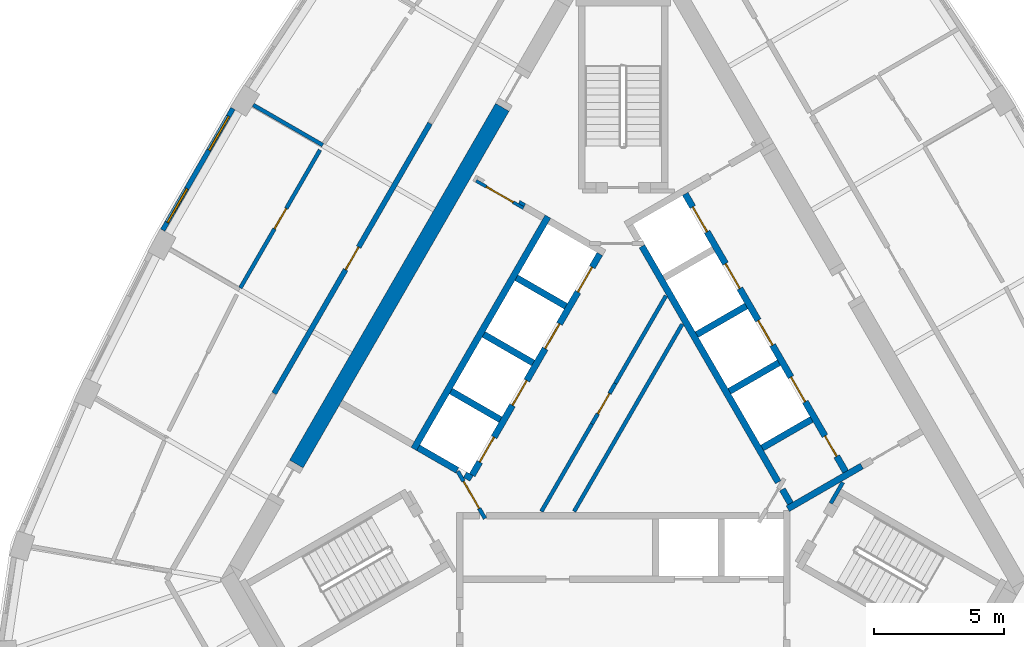
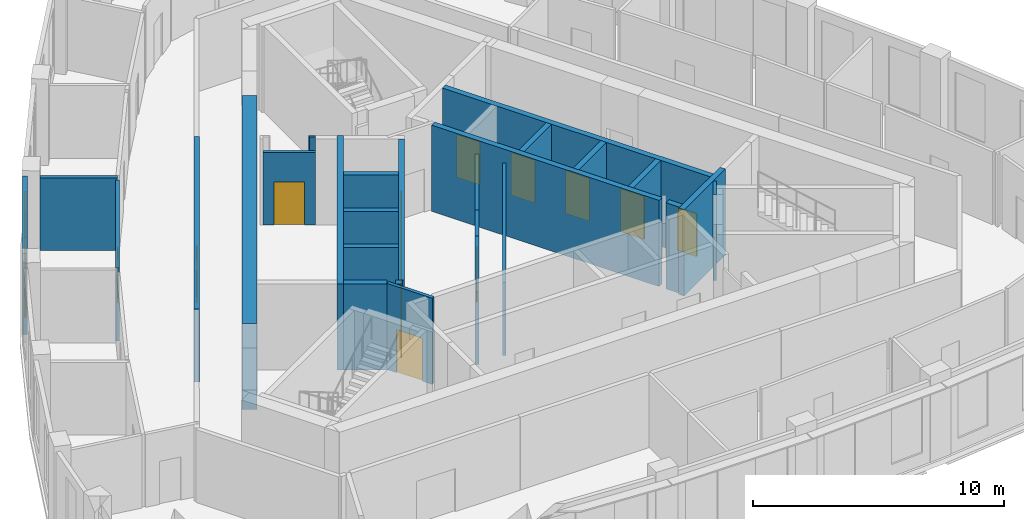
# One storey, part 5 of 10: 27 walls, 14 doors, 2 windows, 16 openings.
"""IFC4 building model written with IfcOpenShell, lengths in metres."""

import ifcopenshell
import ifcopenshell.guid

model = None  # the IFC model being written
_history = None  # IfcOwnerHistory: only IFC2X3 demands one
_inside = {}  # id of a spatial element -> (the spatial element, [elements in it])
_under = {}  # id of a project, library or spatial element -> (it, [spatial elements below it])
_declared = {}  # id of a project -> (the project, [libraries it declares])
_typed = {}  # id of a type object -> (the type object, [elements of that type])
_made_of = {}  # id of a material, layer set ... -> (it, [elements and type objects made of it])


def new_model(schema):
    """Start an empty IFC model of exactly this schema.

    Asked for "IFC4X3", IfcOpenShell would pick the latest addendum, in which some entities
    have other attributes; the version numbers below select the first issue.
    IFC2X3 requires an IfcOwnerHistory on every rooted entity: one is made here for all.
    """
    global model, _history
    if schema == "IFC4X3":
        model = ifcopenshell.file(schema_version=(4, 3, 0, 0))
    else:
        model = ifcopenshell.file(schema=schema)
    _inside.clear()
    _under.clear()
    _declared.clear()
    _typed.clear()
    _made_of.clear()
    _history = None
    if model.schema == "IFC2X3":
        org = make("IfcOrganization", Name="unknown")
        user = make(
            "IfcPersonAndOrganization",
            ThePerson=make("IfcPerson", FamilyName="unknown"),
            TheOrganization=org,
        )
        app = make(
            "IfcApplication",
            ApplicationDeveloper=org,
            Version="unknown",
            ApplicationFullName="unknown",
            ApplicationIdentifier="unknown",
        )
        _history = make(
            "IfcOwnerHistory",
            OwningUser=user,
            OwningApplication=app,
            ChangeAction="ADDED",
            CreationDate=0,
        )
    return model


def make(cls, **values):
    """One entity of the class cls with the attributes given. An attribute that is None is left unset."""
    return model.create_entity(
        cls, **{name: value for name, value in values.items() if value is not None}
    )


def rooted(cls, **values):
    """An entity with a GlobalId (a new one), such as an element, a storey or a relation."""
    return make(cls, GlobalId=ifcopenshell.guid.new(), OwnerHistory=_history, **values)


def si_unit(unit_type, name, prefix=None):
    """IfcSIUnit, for example si_unit("LENGTHUNIT", "METRE", prefix="MILLI")."""
    return make("IfcSIUnit", UnitType=unit_type, Prefix=prefix, Name=name)


def assignment(units):
    """IfcUnitAssignment: the units of a project."""
    return None if units is None else make("IfcUnitAssignment", Units=units)


def point(xyz):
    """IfcCartesianPoint."""
    return None if xyz is None else make("IfcCartesianPoint", Coordinates=xyz)


def direction(xyz):
    """IfcDirection."""
    return None if xyz is None else make("IfcDirection", DirectionRatios=xyz)


def frame(location, z_axis=None, x_axis=None):
    """IfcAxis2Placement3D, a coordinate frame: its origin and axes. An axis left out is left unset."""
    return make(
        "IfcAxis2Placement3D",
        Location=point(location),
        Axis=direction(z_axis),
        RefDirection=direction(x_axis),
    )


def frame_2d(location, x_axis=None):
    """IfcAxis2Placement2D, a coordinate frame in the plane: its origin and x axis."""
    return make(
        "IfcAxis2Placement2D", Location=point(location), RefDirection=direction(x_axis)
    )


def origin():
    """The frame at (0, 0, 0) with its axes left unset."""
    return frame((0.0, 0.0, 0.0))


def place(relative_to, where):
    """IfcLocalPlacement: puts the frame where relative to a parent placement (None: the world)."""
    return make(
        "IfcLocalPlacement", PlacementRelTo=relative_to, RelativePlacement=where
    )


def context(
    kind, dimensions, precision=None, world=None, true_north=None, identifier=None
):
    """IfcGeometricRepresentationContext, for example the 3D "Model" context."""
    return make(
        "IfcGeometricRepresentationContext",
        ContextIdentifier=identifier,
        ContextType=kind,
        CoordinateSpaceDimension=dimensions,
        Precision=precision,
        WorldCoordinateSystem=world,
        TrueNorth=true_north,
    )


def subcontext(parent, identifier, kind, view, scale=None):
    """IfcGeometricRepresentationSubContext, for example "Body" below "Model"."""
    return make(
        "IfcGeometricRepresentationSubContext",
        ContextIdentifier=identifier,
        ContextType=kind,
        ParentContext=parent,
        TargetScale=scale,
        TargetView=view,
    )


def project(units=None, contexts=None):
    """IfcProject with its units and contexts."""
    return rooted(
        "IfcProject",
        Name="project",
        RepresentationContexts=contexts,
        UnitsInContext=assignment(units),
    )


def spatial(cls, under=None, at=None, **own):
    """A site, building, storey or space (cls), placed at a placement, below another one or the project."""
    s = rooted(cls, ObjectPlacement=at, **own)
    if under is not None:
        _under.setdefault(under.id(), (under, []))[1].append(s)
    return s


def polyline(points):
    """IfcPolyline through the points."""
    return make("IfcPolyline", Points=[point(p) for p in points])


def profile(cls, at=None, kind="AREA", **sizes):
    """A parametric profile (cls). Its sizes go by their IFC names, for example OverallWidth=200.0."""
    return make(cls, ProfileType=kind, Position=at, **sizes)


def rectangle(**sizes):
    """IfcRectangleProfileDef."""
    return profile("IfcRectangleProfileDef", **sizes)


def outline(outer, holes=None, kind="AREA"):
    """IfcArbitraryClosedProfileDef: a profile drawn as a closed curve; with holes, ...WithVoids."""
    if holes is None:
        return make("IfcArbitraryClosedProfileDef", ProfileType=kind, OuterCurve=outer)
    return make(
        "IfcArbitraryProfileDefWithVoids",
        ProfileType=kind,
        OuterCurve=outer,
        InnerCurves=holes,
    )


def extrude(swept, where, along, depth):
    """IfcExtrudedAreaSolid: the profile swept, set in the frame where, extruded along a direction by depth."""
    return make(
        "IfcExtrudedAreaSolid",
        SweptArea=swept,
        Position=where,
        ExtrudedDirection=direction(along),
        Depth=depth,
    )


def shape(context_of_items, identifier, shape_type, items):
    """IfcShapeRepresentation: the items that make up one representation, for example the "Body"."""
    return make(
        "IfcShapeRepresentation",
        ContextOfItems=context_of_items,
        RepresentationIdentifier=identifier,
        RepresentationType=shape_type,
        Items=items,
    )


def material(Name=None, Category=None):
    """IfcMaterial."""
    return make("IfcMaterial", Name=Name, Category=Category)


def layer(
    of_material, thickness, ventilated=None, Name=None, Category=None, Priority=None
):
    """IfcMaterialLayer: one layer of a wall or slab, of a material (None: an air gap)."""
    return make(
        "IfcMaterialLayer",
        Material=of_material,
        LayerThickness=thickness,
        IsVentilated=ventilated,
        Name=Name,
        Category=Category,
        Priority=Priority,
    )


def layer_set(layers, Name=None):
    """IfcMaterialLayerSet."""
    return make("IfcMaterialLayerSet", MaterialLayers=layers, LayerSetName=Name)


def made_of(thing, what):
    """Note that an element or type object is made of a material, layer set ...; save() writes the relation."""
    if what is not None:
        _made_of.setdefault(what.id(), (what, []))[1].append(thing)
    return thing


def type_object(cls, material=None, **own):
    """A type object (cls), such as IfcWallType, which elements share."""
    return made_of(rooted(cls, **own), material)


def element(
    cls,
    number,
    at=None,
    inside=None,
    cuts=None,
    type_object=None,
    material=None,
    context=None,
    identifier="Body",
    shape_type=None,
    held_by="IfcProductDefinitionShape",
    body=None,
    shapes=None,
    **own,
):
    """One element of the class cls, such as IfcWall. Its Tag is "e" and its number.

    at: its placement. inside: the storey or other place that contains it. cuts: it is an
    opening in that element (IfcRelVoidsElement). A single representation is given by context,
    identifier, shape_type and body (its items); several are given by shapes. held_by: the class
    of the entity that holds the representations. save() writes the other relations.
    """
    e = rooted(cls, Tag="e%d" % number, ObjectPlacement=at, **own)
    if body is not None:
        shapes = [shape(context, identifier, shape_type, body)]
    if shapes is not None:
        e.Representation = make(held_by, Representations=shapes)
    if inside is not None:
        _inside.setdefault(inside.id(), (inside, []))[1].append(e)
    if cuts is not None:
        rooted(
            "IfcRelVoidsElement", RelatingBuildingElement=cuts, RelatedOpeningElement=e
        )
    if type_object is not None:
        _typed.setdefault(type_object.id(), (type_object, []))[1].append(e)
    return made_of(e, material)


def fill(opening, filler):
    """IfcRelFillsElement: the door or window that sits in an opening."""
    return rooted(
        "IfcRelFillsElement",
        RelatingOpeningElement=opening,
        RelatedBuildingElement=filler,
    )


def aggregate(whole, parts):
    """IfcRelAggregates: a whole, such as a stair, and the parts it consists of."""
    return rooted("IfcRelAggregates", RelatingObject=whole, RelatedObjects=parts)


def save(model, path):
    """Write the relations noted so far, then the file.

    IfcRelAggregates (storeys below a building ...), IfcRelContainedInSpatialStructure (elements
    in a storey), IfcRelDefinesByType, IfcRelAssociatesMaterial and IfcRelDeclares: one each for
    every whole, place, type object, material and project.
    """
    for whole, parts in _under.values():
        aggregate(whole, parts)
    for where, things in _inside.values():
        rooted(
            "IfcRelContainedInSpatialStructure",
            RelatedElements=things,
            RelatingStructure=where,
        )
    for kind, things in _typed.values():
        rooted("IfcRelDefinesByType", RelatedObjects=things, RelatingType=kind)
    for what, things in _made_of.values():
        rooted("IfcRelAssociatesMaterial", RelatedObjects=things, RelatingMaterial=what)
    for by, libraries in _declared.values():
        rooted("IfcRelDeclares", RelatingContext=by, RelatedDefinitions=libraries)
    model.write(path)


model = new_model("IFC4")

# Units and contexts
model_context = context("Model", 3, precision=1e-05, world=origin(), true_north=direction((0.0, 1.0)))
body_context = subcontext(model_context, "Body", "Model", "MODEL_VIEW")
ifc_project = project(units=[si_unit("LENGTHUNIT", "METRE"), si_unit("AREAUNIT", "SQUARE_METRE"), si_unit("VOLUMEUNIT", "CUBIC_METRE"), si_unit("PLANEANGLEUNIT", "RADIAN"), si_unit("MASSUNIT", "GRAM", prefix="KILO")], contexts=[model_context])

# Site, building, storey
site_placement = place(None, origin())
site = spatial("IfcSite", under=ifc_project, at=site_placement, CompositionType="ELEMENT")
building_placement = place(site_placement, origin())
building = spatial("IfcBuilding", under=site, at=building_placement, Name="Mestral Congress Tower", CompositionType="ELEMENT")
storey_placement = place(building_placement, frame((0.0, 0.0, 300.60009765625)))
storey = spatial("IfcBuildingStorey", under=building, at=storey_placement, Name="L70", CompositionType="ELEMENT", Elevation=300.60009765625)

# Walls
ifc_material_1 = material(Name="Fire-rated board partition")
ifc_layer_1 = layer(ifc_material_1, 0.14990234375)
ifc_layer_set_1 = layer_set([ifc_layer_1], Name="Fire-rated board partition")
wall_type_1 = type_object("IfcWallType", Name="Core partition 150", PredefinedType="PARTITIONING", material=ifc_layer_set_1)
wall_1_placement = place(storey_placement, frame((-1.886962890625, -3.71826171875, 0.0), z_axis=(0.0, 0.0, 1.0), x_axis=(0.500005008002, 0.866022512394, 0.0)))
element("IfcWall", 1, at=wall_1_placement, inside=storey, type_object=wall_type_1, Name="L70 core wall", PredefinedType="PARTITIONING", context=body_context, shape_type="SweptSolid", body=[
    extrude(rectangle(XDim=8.3271484375, YDim=0.14990234375, at=frame_2d((4.16357421875, 0.0))), origin(), (0.0, 0.0, 1.0), 3.5498046875),
])
wall_2_placement = place(storey_placement, frame((-3.146728515625, -3.71826171875, 0.0), z_axis=(0.0, 0.0, 1.0), x_axis=(0.500010131483, 0.866019554291, 0.0)))
element("IfcWall", 2, at=wall_2_placement, inside=storey, type_object=wall_type_1, Name="L70 core wall", PredefinedType="PARTITIONING", context=body_context, shape_type="SweptSolid", body=[
    extrude(rectangle(XDim=3.8935546875, YDim=0.14990234375, at=frame_2d((1.94677734375, 0.0))), origin(), (0.0, 0.0, 1.0), 3.5498046875),
])
wall_3_placement = place(storey_placement, frame((-0.2998046875, 1.21240234375, 0.0), z_axis=(0.0, 0.0, 1.0), x_axis=(0.499963101113, 0.866046706318, 0.0)))
element("IfcWall", 3, at=wall_3_placement, inside=storey, type_object=wall_type_1, Name="L70 core wall", PredefinedType="PARTITIONING", context=body_context, shape_type="SweptSolid", body=[
    extrude(rectangle(XDim=3.893310546875, YDim=0.14990234375, at=frame_2d((1.94677734375, 0.0))), origin(), (0.0, 0.0, 1.0), 3.5498046875),
])

# Wall, opening, door
wall_4_placement = place(storey_placement, frame((-1.199951171875, -0.346435546875, 0.0), z_axis=(0.0, 0.0, 1.0), x_axis=(0.499961193289, 0.866047807691, 0.0)))
wall_4 = element("IfcWall", 4, at=wall_4_placement, inside=storey, type_object=wall_type_1, Name="L70 door wall", PredefinedType="PARTITIONING", context=body_context, shape_type="SweptSolid", body=[
    extrude(rectangle(XDim=1.800048828125, YDim=0.14990234375, at=frame_2d((0.89990234375, 0.0))), origin(), (0.0, 0.0, 1.0), 3.5498046875),
])
opening_1_placement = place(wall_4_placement, frame((0.449951171875, 0.0, 0.0)))
opening_1 = element("IfcOpeningElement", 5, at=opening_1_placement, cuts=wall_4, Name="Opening SD-HUB1", PredefinedType="OPENING", context=body_context, shape_type="SweptSolid", body=[
    extrude(rectangle(XDim=0.89990234375, YDim=2.10009765625, at=frame_2d((0.449951171875, 1.050048828125))), frame((0.0, 0.0849609375, 0.0), z_axis=(0.0, -1.0, 0.0), x_axis=(1.0, 0.0, 0.0)), (0.0, 0.0, 1.0), 0.169921875),
])
ifc_material_2 = material(Name="Fire-rated steel door set", Category="steel")
door_type_1 = type_object("IfcDoorType", Name="Core door SR 900x2100", OperationType="SINGLE_SWING_LEFT", PredefinedType="DOOR", material=ifc_material_2)
door_1_placement = place(opening_1_placement, origin())
door_1 = element("IfcDoor", 6, at=door_1_placement, inside=storey, type_object=door_type_1, Name="Door SD-HUB1", OperationType="SINGLE_SWING_LEFT", OverallHeight=2.10009765625, OverallWidth=0.89990234375, PredefinedType="DOOR", context=body_context, shape_type="SweptSolid", body=[
    extrude(rectangle(XDim=0.89990234375, YDim=2.10009765625, at=frame_2d((0.449951171875, 1.050048828125))), frame((0.0, 0.02490234375, 0.0), z_axis=(0.0, -1.0, 0.0), x_axis=(1.0, 0.0, 0.0)), (0.0, 0.0, 1.0), 0.050048828125),
])
fill(opening_1, door_1)

ifc_layer_2 = layer(ifc_material_1, 0.1201171875)
ifc_layer_set_2 = layer_set([ifc_layer_2], Name="Fire-rated board partition")
wall_type_2 = type_object("IfcWallType", Name="Core partition 150 door-wall 120", PredefinedType="PARTITIONING", material=ifc_layer_set_2)
wall_5_placement = place(storey_placement, frame((-5.65869140625, 9.01171875, 0.0), z_axis=(0.0, 0.0, 1.0), x_axis=(0.866009402589, -0.500027713859, 0.0)))
wall_5 = element("IfcWall", 7, at=wall_5_placement, inside=storey, type_object=wall_type_2, Name="L70 door wall", PredefinedType="PARTITIONING", context=body_context, shape_type="SweptSolid", body=[
    extrude(rectangle(XDim=2.10009765625, YDim=0.1201171875, at=frame_2d((1.050048828125, 0.0))), origin(), (0.0, 0.0, 1.0), 3.5498046875),
])
opening_2_placement = place(wall_5_placement, frame((0.449951171875, 0.0, 0.0)))
opening_2 = element("IfcOpeningElement", 8, at=opening_2_placement, cuts=wall_5, Name="Opening LB2-WL2", PredefinedType="OPENING", context=body_context, shape_type="SweptSolid", body=[
    extrude(rectangle(XDim=1.199951171875, YDim=2.10009765625, at=frame_2d((0.60009765625, 1.050048828125))), frame((0.0, 0.070068359375, 0.0), z_axis=(0.0, -1.0, 0.0), x_axis=(1.0, 0.0, 0.0)), (0.0, 0.0, 1.0), 0.14013671875),
])
door_type_2 = type_object("IfcDoorType", Name="Core door LB 1200x2100", OperationType="SINGLE_SWING_LEFT", PredefinedType="DOOR", material=ifc_material_2)
door_2_placement = place(opening_2_placement, origin())
door_2 = element("IfcDoor", 9, at=door_2_placement, inside=storey, type_object=door_type_2, Name="Door LB2-WL2", OperationType="SINGLE_SWING_LEFT", OverallHeight=2.10009765625, OverallWidth=1.199951171875, PredefinedType="DOOR", context=body_context, shape_type="SweptSolid", body=[
    extrude(rectangle(XDim=1.199951171875, YDim=2.10009765625, at=frame_2d((0.60009765625, 1.050048828125))), frame((0.0, 0.02490234375, 0.0), z_axis=(0.0, -1.0, 0.0), x_axis=(1.0, 0.0, 0.0)), (0.0, 0.0, 1.0), 0.050048828125),
])
fill(opening_2, door_2)

# Wall
ifc_material_3 = material(Name="Concrete C60/75", Category="concrete")
ifc_layer_3 = layer(ifc_material_3, 0.60009765625)
ifc_layer_set_3 = layer_set([ifc_layer_3], Name="Concrete C60/75")
wall_type_3 = type_object("IfcWallType", Name="Core wall RC 600", PredefinedType="SOLIDWALL", material=ifc_layer_set_3)
wall_6_placement = place(storey_placement, frame((-12.58154296875, -1.891845703125, 0.0), z_axis=(0.0, 0.0, 1.0), x_axis=(0.500003640647, 0.866023301845, 0.0)))
element("IfcWall", 10, at=wall_6_placement, inside=storey, type_object=wall_type_3, Name="L70 core wall", PredefinedType="SOLIDWALL", context=body_context, shape_type="SweptSolid", body=[
    extrude(rectangle(XDim=15.8583984375, YDim=0.60009765625, at=frame_2d((7.92919921875, 0.0))), origin(), (0.0, 0.0, 1.0), 4.199951171875),
])

# Wall, openings, windows
ifc_material_4 = material(Name="Precast concrete C40/50 with limestone facing", Category="masonry")
ifc_layer_4 = layer(ifc_material_4, 0.18994140625)
ifc_layer_set_4 = layer_set([ifc_layer_4], Name="Precast concrete C40/50 with limestone facing")
wall_type_4 = type_object("IfcWallType", Name="Facade stone wall 190", PredefinedType="SOLIDWALL", material=ifc_layer_set_4)
wall_7_placement = place(storey_placement, frame((-15.025146484375, 11.7958984375, 0.0), z_axis=(0.0, 0.0, 1.0), x_axis=(-0.500024767483, -0.866011103799, 0.0)))
wall_7 = element("IfcWall", 11, at=wall_7_placement, inside=storey, type_object=wall_type_4, Name="Facade wall F2-02", PredefinedType="SOLIDWALL", context=body_context, shape_type="SweptSolid", body=[
    extrude(rectangle(XDim=5.406005859375, YDim=0.18994140625, at=frame_2d((2.703125, 0.0))), origin(), (0.0, 0.0, 1.0), 3.949951171875),
])
opening_3_placement = place(wall_7_placement, frame((0.346435546875, 0.0, 0.60009765625)))
opening_3 = element("IfcOpeningElement", 12, at=opening_3_placement, cuts=wall_7, Name="Opening W6", PredefinedType="OPENING", context=body_context, shape_type="SweptSolid", body=[
    extrude(rectangle(XDim=1.5, YDim=2.85009765625, at=frame_2d((0.75, 1.425048828125))), frame((0.0, 0.10498046875, 0.0), z_axis=(0.0, -1.0, 0.0), x_axis=(1.0, 0.0, 0.0)), (0.0, 0.0, 1.0), 0.2099609375),
])
opening_4_placement = place(wall_7_placement, frame((3.559326171875, 0.0, 0.60009765625)))
opening_4 = element("IfcOpeningElement", 13, at=opening_4_placement, cuts=wall_7, Name="Opening W6", PredefinedType="OPENING", context=body_context, shape_type="SweptSolid", body=[
    extrude(rectangle(XDim=1.5, YDim=2.85009765625, at=frame_2d((0.75, 1.425048828125))), frame((0.0, 0.10498046875, 0.0), z_axis=(0.0, -1.0, 0.0), x_axis=(1.0, 0.0, 0.0)), (0.0, 0.0, 1.0), 0.2099609375),
])
ifc_material_5 = material(Name="Clear low-emissivity double glazing", Category="glass")
window_type = type_object("IfcWindowType", Name="Facade punched window 1500 x 2850 sill 600", PartitioningType="SINGLE_PANEL", PredefinedType="WINDOW", material=ifc_material_5)
window_1_placement = place(opening_3_placement, origin())
window_1 = element("IfcWindow", 14, at=window_1_placement, inside=storey, type_object=window_type, Name="Window F2-02a", OverallHeight=2.85009765625, OverallWidth=1.5, PartitioningType="SINGLE_PANEL", PredefinedType="WINDOW", context=body_context, shape_type="SweptSolid", body=[
    extrude(rectangle(XDim=1.5, YDim=2.85009765625, at=frame_2d((0.75, 1.425048828125))), frame((0.0, 0.044921875, 0.0), z_axis=(0.0, -1.0, 0.0), x_axis=(1.0, 0.0, 0.0)), (0.0, 0.0, 1.0), 0.06005859375),
])
fill(opening_3, window_1)
window_2_placement = place(opening_4_placement, origin())
window_2 = element("IfcWindow", 15, at=window_2_placement, inside=storey, type_object=window_type, Name="Window F2-02b", OverallHeight=2.85009765625, OverallWidth=1.5, PartitioningType="SINGLE_PANEL", PredefinedType="WINDOW", context=body_context, shape_type="SweptSolid", body=[
    extrude(rectangle(XDim=1.5, YDim=2.85009765625, at=frame_2d((0.75, 1.425048828125))), frame((0.0, 0.044921875, 0.0), z_axis=(0.0, -1.0, 0.0), x_axis=(1.0, 0.0, 0.0)), (0.0, 0.0, 1.0), 0.06005859375),
])
fill(opening_4, window_2)

# Wall
ifc_material_6 = material(Name="Plasterboard partition on steel studs", Category="steel")
ifc_layer_5 = layer(ifc_material_6, 0.14990234375)
ifc_layer_set_5 = layer_set([ifc_layer_5], Name="Plasterboard partition on steel studs")
wall_type_5 = type_object("IfcWallType", Name="Office partition 150", PredefinedType="PARTITIONING", material=ifc_layer_set_5)
wall_8_placement = place(storey_placement, frame((-11.564208984375, 10.38671875, 0.0), z_axis=(0.0, 0.0, 1.0), x_axis=(-0.86604641216, 0.499963610661, 0.0)))
element("IfcWall", 16, at=wall_8_placement, inside=storey, type_object=wall_type_5, Name="Partition", PredefinedType="PARTITIONING", context=body_context, shape_type="SweptSolid", body=[
    extrude(rectangle(XDim=3.096435546875, YDim=0.14990234375, at=frame_2d((1.54833984375, 0.0))), origin(), (0.0, 0.0, 1.0), 3.5498046875),
])

# Wall, opening, door
wall_9_placement = place(storey_placement, frame((-14.73974609375, 4.88671875, 0.0), z_axis=(0.0, 0.0, 1.0), x_axis=(0.500007141444, 0.86602128063, 0.0)))
wall_9 = element("IfcWall", 17, at=wall_9_placement, inside=storey, type_object=wall_type_5, Name="Partition", PredefinedType="PARTITIONING", context=body_context, shape_type="SweptSolid", body=[
    extrude(rectangle(XDim=6.13671875, YDim=0.14990234375, at=frame_2d((3.068359375, 0.0))), origin(), (0.0, 0.0, 1.0), 3.5498046875),
])
opening_5_placement = place(wall_9_placement, frame((2.63671875, 0.0, 0.0)))
opening_5 = element("IfcOpeningElement", 18, at=opening_5_placement, cuts=wall_9, Name="Opening O13-014", PredefinedType="OPENING", context=body_context, shape_type="SweptSolid", body=[
    extrude(rectangle(XDim=0.89990234375, YDim=2.10009765625, at=frame_2d((0.449951171875, 1.050048828125))), frame((0.0, 0.0849609375, 0.0), z_axis=(0.0, -1.0, 0.0), x_axis=(1.0, 0.0, 0.0)), (0.0, 0.0, 1.0), 0.169921875),
])
ifc_material_7 = material(Name="Timber door set", Category="wood")
door_type_3 = type_object("IfcDoorType", Name="Office door 900x2100", OperationType="SINGLE_SWING_LEFT", PredefinedType="DOOR", material=ifc_material_7)
door_3_placement = place(opening_5_placement, origin())
door_3 = element("IfcDoor", 19, at=door_3_placement, inside=storey, type_object=door_type_3, Name="Door O13-014", OperationType="SINGLE_SWING_RIGHT", OverallHeight=2.10009765625, OverallWidth=0.89990234375, PredefinedType="DOOR", context=body_context, shape_type="SweptSolid", body=[
    extrude(rectangle(XDim=0.89990234375, YDim=2.10009765625, at=frame_2d((0.449951171875, 1.050048828125))), frame((0.0, 0.02490234375, 0.0), z_axis=(0.0, -1.0, 0.0), x_axis=(1.0, 0.0, 0.0)), (0.0, 0.0, 1.0), 0.050048828125),
])
fill(opening_5, door_3)

ifc_material_8 = material(Name="Dense masonry wall, plastered", Category="masonry")
ifc_layer_6 = layer(ifc_material_8, 0.199951171875)
ifc_layer_set_6 = layer_set([ifc_layer_6], Name="Dense masonry wall, plastered")
wall_type_6 = type_object("IfcWallType", Name="Office tenancy wall 200", PredefinedType="PARTITIONING", material=ifc_layer_set_6)
wall_10_placement = place(storey_placement, frame((-7.435546875, 11.22119140625, 0.0), z_axis=(0.0, 0.0, 1.0), x_axis=(-0.49999894854, -0.866026010844, 0.0)))
wall_10 = element("IfcWall", 20, at=wall_10_placement, inside=storey, type_object=wall_type_6, Name="Tenancy wall", PredefinedType="PARTITIONING", context=body_context, shape_type="SweptSolid", body=[
    extrude(rectangle(XDim=12.0, YDim=0.199951171875, at=frame_2d((6.0, 0.0))), origin(), (0.0, 0.0, 1.0), 3.5498046875),
])
opening_6_placement = place(wall_10_placement, frame((5.5, 0.0, 0.0)))
opening_6 = element("IfcOpeningElement", 21, at=opening_6_placement, cuts=wall_10, Name="Opening O13-017", PredefinedType="OPENING", context=body_context, shape_type="SweptSolid", body=[
    extrude(rectangle(XDim=1.0, YDim=2.10009765625, at=frame_2d((0.5, 1.050048828125))), frame((0.0, 0.10986328125, 0.0), z_axis=(0.0, -1.0, 0.0), x_axis=(1.0, 0.0, 0.0)), (0.0, 0.0, 1.0), 0.219970703125),
])
ifc_material_9 = material(Name="Fire-rated timber door set", Category="wood")
door_type_4 = type_object("IfcDoorType", Name="Office tenancy entrance door 1000x2100", OperationType="SINGLE_SWING_LEFT", PredefinedType="DOOR", material=ifc_material_9)
door_4_placement = place(opening_6_placement, origin())
door_4 = element("IfcDoor", 22, at=door_4_placement, inside=storey, type_object=door_type_4, Name="Door O13-017", OperationType="SINGLE_SWING_RIGHT", OverallHeight=2.10009765625, OverallWidth=1.0, PredefinedType="DOOR", context=body_context, shape_type="SweptSolid", body=[
    extrude(rectangle(XDim=1.0, YDim=2.10009765625, at=frame_2d((0.5, 1.050048828125))), frame((0.0, 0.02490234375, 0.0), z_axis=(0.0, -1.0, 0.0), x_axis=(1.0, 0.0, 0.0)), (0.0, 0.0, 1.0), 0.050048828125),
])
fill(opening_6, door_4)

# Walls
ifc_layer_7 = layer(ifc_material_3, 0.25)
ifc_layer_set_7 = layer_set([ifc_layer_7], Name="Concrete C60/75")
wall_type_7 = type_object("IfcWallType", Name="Shaft wall RC 250", PredefinedType="SOLIDWALL", material=ifc_layer_set_7)
wall_11_placement = place(storey_placement, frame((9.190185546875, -1.96875, 0.0), z_axis=(0.0, 0.0, 1.0), x_axis=(-0.866057109641, -0.499945079824, 0.0)))
element("IfcWall", 23, at=wall_11_placement, inside=storey, type_object=wall_type_7, Name="L70 core wall", PredefinedType="SOLIDWALL", context=body_context, shape_type="SweptSolid", body=[
    extrude(rectangle(XDim=3.290771484375, YDim=0.25, at=frame_2d((1.6455078125, 0.0))), origin(), (0.0, 0.0, 1.0), 4.199951171875),
])
wall_12_placement = place(storey_placement, frame((6.1298828125, -2.867431640625, 0.0), z_axis=(0.0, 0.0, 1.0), x_axis=(0.500160776593, -0.865932559475, 0.0)))
element("IfcWall", 24, at=wall_12_placement, inside=storey, type_object=wall_type_7, Name="L70 core wall", PredefinedType="SOLIDWALL", context=body_context, shape_type="SweptSolid", body=[
    extrude(rectangle(XDim=0.626708984375, YDim=0.25, at=frame_2d((0.3134765625, 0.0))), origin(), (0.0, 0.0, 1.0), 4.199951171875),
])
wall_13_placement = place(storey_placement, frame((5.970458984375, -2.591064453125, 0.0), z_axis=(0.0, 0.0, 1.0), x_axis=(-0.499994469932, 0.866028596547, 0.0)))
element("IfcWall", 25, at=wall_13_placement, inside=storey, type_object=wall_type_7, Name="L70 core wall", PredefinedType="SOLIDWALL", context=body_context, shape_type="SweptSolid", body=[
    extrude(rectangle(XDim=10.48828125, YDim=0.25, at=frame_2d((5.244140625, 0.0))), origin(), (0.0, 0.0, 1.0), 4.199951171875),
])
for number, where, z_axis, x_axis, name in (
    (26, (2.833984375, 3.091064453125, 0.0), (0.0, 0.0, 1.0), (0.866008176907, 0.50002983664, 0.0), "L70 core wall"),
    (27, (4.093994140625, 0.90869140625, 0.0), (0.0, 0.0, 1.0), (0.866008176907, 0.50002983664, 0.0), "L70 core wall"),
    (28, (5.35400390625, -1.273681640625, 0.0), (0.0, 0.0, 1.0), (0.866008176907, 0.50002983664, 0.0), "L70 core wall"),
):
    element("IfcWall", number, at=place(storey_placement, frame(where, z_axis=z_axis, x_axis=x_axis)), inside=storey, type_object=wall_type_7, Name=name, PredefinedType="SOLIDWALL", context=body_context, shape_type="SweptSolid", body=[
        extrude(rectangle(XDim=2.199951171875, YDim=0.25, at=frame_2d((1.10009765625, 0.0))), origin(), (0.0, 0.0, 1.0), 4.199951171875),
    ])
wall_14_placement = place(storey_placement, frame((-8.06005859375, -1.310546875, 0.0), z_axis=(0.0, 0.0, 1.0), x_axis=(0.50000273126, 0.866023826885, 0.0)))
element("IfcWall", 29, at=wall_14_placement, inside=storey, type_object=wall_type_7, Name="L70 core wall", PredefinedType="SOLIDWALL", context=body_context, shape_type="SweptSolid", body=[
    extrude(rectangle(XDim=10.330078125, YDim=0.25, at=frame_2d((5.1650390625, 0.0))), origin(), (0.0, 0.0, 1.0), 4.199951171875),
])
for number, where, z_axis, x_axis, name in (
    (30, (-2.2041015625, 4.182373046875, 0.0), (0.0, 0.0, 1.0), (-0.866008176907, 0.50002983664, 0.0), "L70 core wall"),
    (31, (-5.369384765625, 3.10009765625, 0.0), (0.0, 0.0, 1.0), (0.866008176907, -0.50002983664, 0.0), "L70 core wall"),
    (32, (-4.72412109375, -0.182373046875, 0.0), (0.0, 0.0, 1.0), (-0.866008176907, 0.50002983664, 0.0), "L70 core wall"),
):
    element("IfcWall", number, at=place(storey_placement, frame(where, z_axis=z_axis, x_axis=x_axis)), inside=storey, type_object=wall_type_7, Name=name, PredefinedType="SOLIDWALL", context=body_context, shape_type="SweptSolid", body=[
        extrude(rectangle(XDim=2.199951171875, YDim=0.25, at=frame_2d((1.10009765625, 0.0))), origin(), (0.0, 0.0, 1.0), 4.199951171875),
    ])
wall_15_placement = place(storey_placement, frame((-6.088134765625, -2.3046875, 0.0), z_axis=(0.0, 0.0, 1.0), x_axis=(0.866059450854, -0.499941024108, 0.0)))
element("IfcWall", 33, at=wall_15_placement, inside=storey, type_object=wall_type_7, Name="L70 core wall", PredefinedType="SOLIDWALL", context=body_context, shape_type="SweptSolid", body=[
    extrude(rectangle(XDim=0.2900390625, YDim=0.25, at=frame_2d((0.14501953125, 0.0))), origin(), (0.0, 0.0, 1.0), 4.199951171875),
])
wall_16_placement = place(storey_placement, frame((-7.889404296875, -1.2646484375, 0.0), z_axis=(0.0, 0.0, 1.0), x_axis=(0.865986741702, -0.500066958712, 0.0)))
element("IfcWall", 34, at=wall_16_placement, inside=storey, type_object=wall_type_7, Name="L70 core wall", PredefinedType="SOLIDWALL", context=body_context, shape_type="SweptSolid", body=[
    extrude(rectangle(XDim=1.738037109375, YDim=0.25, at=frame_2d((0.869140625, 0.0))), origin(), (0.0, 0.0, 1.0), 4.199951171875),
])
wall_17_placement = place(storey_placement, origin())
element("IfcWall", 35, at=wall_17_placement, inside=storey, type_object=wall_type_7, Name="L70 core wall", PredefinedType="SOLIDWALL", context=body_context, shape_type="SweptSolid", body=[
    extrude(outline(polyline([(-3.748291015625, 8.1279296875), (-3.813232421875, 8.015380859375), (-4.026611328125, 8.138671875), (-4.0166015625, 8.156005859375), (-4.007568359375, 8.17333984375), (-4.000244140625, 8.191650390625), (-3.994873046875, 8.21044921875), (-3.991455078125, 8.229736328125), (-3.98974609375, 8.24951171875), (-3.989990234375, 8.267578125), (-3.748291015625, 8.1279296875)])), origin(), (0.0, 0.0, 1.0), 4.199951171875),
])

# Wall, openings, doors
wall_18_placement = place(storey_placement, frame((8.565185546875, -2.185302734375, 0.0), z_axis=(0.0, 0.0, 1.0), x_axis=(-0.499997954832, 0.866026584559, 0.0)))
wall_18 = element("IfcWall", 36, at=wall_18_placement, inside=storey, type_object=wall_type_7, Name="L70 door wall", PredefinedType="SOLIDWALL", context=body_context, shape_type="SweptSolid", body=[
    extrude(rectangle(XDim=12.35009765625, YDim=0.25, at=frame_2d((6.175048828125, 0.0))), origin(), (0.0, 0.0, 1.0), 4.199951171875),
])
opening_7_placement = place(wall_18_placement, frame((0.68505859375, 0.0, 0.0)))
opening_7 = element("IfcOpeningElement", 37, at=opening_7_placement, cuts=wall_18, Name="Opening SR-NEB1", PredefinedType="OPENING", context=body_context, shape_type="SweptSolid", body=[
    extrude(rectangle(XDim=0.89990234375, YDim=2.10009765625, at=frame_2d((0.449951171875, 1.050048828125))), frame((0.0, 0.135009765625, 0.0), z_axis=(0.0, -1.0, 0.0), x_axis=(1.0, 0.0, 0.0)), (0.0, 0.0, 1.0), 0.27001953125),
])
opening_8_placement = place(wall_18_placement, frame((3.10498046875, 0.0, 0.0)))
opening_8 = element("IfcOpeningElement", 38, at=opening_8_placement, cuts=wall_18, Name="Opening LD-NEB2", PredefinedType="OPENING", context=body_context, shape_type="SweptSolid", body=[
    extrude(rectangle(XDim=1.10009765625, YDim=2.10009765625, at=frame_2d((0.550048828125, 1.050048828125))), frame((0.0, 0.135009765625, 0.0), z_axis=(0.0, -1.0, 0.0), x_axis=(1.0, 0.0, 0.0)), (0.0, 0.0, 1.0), 0.27001953125),
])
opening_9_placement = place(wall_18_placement, frame((5.625, 0.0, 0.0)))
opening_9 = element("IfcOpeningElement", 39, at=opening_9_placement, cuts=wall_18, Name="Opening LD-NEB3", PredefinedType="OPENING", context=body_context, shape_type="SweptSolid", body=[
    extrude(rectangle(XDim=1.10009765625, YDim=2.10009765625, at=frame_2d((0.550048828125, 1.050048828125))), frame((0.0, 0.135009765625, 0.0), z_axis=(0.0, -1.0, 0.0), x_axis=(1.0, 0.0, 0.0)), (0.0, 0.0, 1.0), 0.27001953125),
])
opening_10_placement = place(wall_18_placement, frame((8.14501953125, 0.0, 0.0)))
opening_10 = element("IfcOpeningElement", 40, at=opening_10_placement, cuts=wall_18, Name="Opening LD-NEB4", PredefinedType="OPENING", context=body_context, shape_type="SweptSolid", body=[
    extrude(rectangle(XDim=1.10009765625, YDim=2.10009765625, at=frame_2d((0.550048828125, 1.050048828125))), frame((0.0, 0.135009765625, 0.0), z_axis=(0.0, -1.0, 0.0), x_axis=(1.0, 0.0, 0.0)), (0.0, 0.0, 1.0), 0.27001953125),
])
opening_11_placement = place(wall_18_placement, frame((10.6650390625, 0.0, 0.0)))
opening_11 = element("IfcOpeningElement", 41, at=opening_11_placement, cuts=wall_18, Name="Opening LD-NEB5", PredefinedType="OPENING", context=body_context, shape_type="SweptSolid", body=[
    extrude(rectangle(XDim=1.10009765625, YDim=2.10009765625, at=frame_2d((0.550048828125, 1.050048828125))), frame((0.0, 0.135009765625, 0.0), z_axis=(0.0, -1.0, 0.0), x_axis=(1.0, 0.0, 0.0)), (0.0, 0.0, 1.0), 0.27001953125),
])
door_type_5 = type_object("IfcDoorType", Name="Core door LD 1100x2100", OperationType="DOUBLE_DOOR_SLIDING", PredefinedType="DOOR", material=ifc_material_2)
door_5_placement = place(opening_8_placement, origin())
door_5 = element("IfcDoor", 42, at=door_5_placement, inside=storey, type_object=door_type_5, Name="Door LD-NEB2", OperationType="DOUBLE_DOOR_SLIDING", OverallHeight=2.10009765625, OverallWidth=1.10009765625, PredefinedType="DOOR", context=body_context, shape_type="SweptSolid", body=[
    extrude(rectangle(XDim=1.10009765625, YDim=2.10009765625, at=frame_2d((0.550048828125, 1.050048828125))), frame((0.0, 0.02490234375, 0.0), z_axis=(0.0, -1.0, 0.0), x_axis=(1.0, 0.0, 0.0)), (0.0, 0.0, 1.0), 0.050048828125),
])
fill(opening_8, door_5)
door_6_placement = place(opening_9_placement, origin())
door_6 = element("IfcDoor", 43, at=door_6_placement, inside=storey, type_object=door_type_5, Name="Door LD-NEB3", OperationType="DOUBLE_DOOR_SLIDING", OverallHeight=2.10009765625, OverallWidth=1.10009765625, PredefinedType="DOOR", context=body_context, shape_type="SweptSolid", body=[
    extrude(rectangle(XDim=1.10009765625, YDim=2.10009765625, at=frame_2d((0.550048828125, 1.050048828125))), frame((0.0, 0.02490234375, 0.0), z_axis=(0.0, -1.0, 0.0), x_axis=(1.0, 0.0, 0.0)), (0.0, 0.0, 1.0), 0.050048828125),
])
fill(opening_9, door_6)
door_7_placement = place(opening_10_placement, origin())
door_7 = element("IfcDoor", 44, at=door_7_placement, inside=storey, type_object=door_type_5, Name="Door LD-NEB4", OperationType="DOUBLE_DOOR_SLIDING", OverallHeight=2.10009765625, OverallWidth=1.10009765625, PredefinedType="DOOR", context=body_context, shape_type="SweptSolid", body=[
    extrude(rectangle(XDim=1.10009765625, YDim=2.10009765625, at=frame_2d((0.550048828125, 1.050048828125))), frame((0.0, 0.02490234375, 0.0), z_axis=(0.0, -1.0, 0.0), x_axis=(1.0, 0.0, 0.0)), (0.0, 0.0, 1.0), 0.050048828125),
])
fill(opening_10, door_7)
door_8_placement = place(opening_11_placement, origin())
door_8 = element("IfcDoor", 45, at=door_8_placement, inside=storey, type_object=door_type_5, Name="Door LD-NEB5", OperationType="DOUBLE_DOOR_SLIDING", OverallHeight=2.10009765625, OverallWidth=1.10009765625, PredefinedType="DOOR", context=body_context, shape_type="SweptSolid", body=[
    extrude(rectangle(XDim=1.10009765625, YDim=2.10009765625, at=frame_2d((0.550048828125, 1.050048828125))), frame((0.0, 0.02490234375, 0.0), z_axis=(0.0, -1.0, 0.0), x_axis=(1.0, 0.0, 0.0)), (0.0, 0.0, 1.0), 0.050048828125),
])
fill(opening_11, door_8)
door_9_placement = place(opening_7_placement, origin())
door_9 = element("IfcDoor", 46, at=door_9_placement, inside=storey, type_object=door_type_1, Name="Door SR-NEB1", OperationType="SINGLE_SWING_LEFT", OverallHeight=2.10009765625, OverallWidth=0.89990234375, PredefinedType="DOOR", context=body_context, shape_type="SweptSolid", body=[
    extrude(rectangle(XDim=0.89990234375, YDim=2.10009765625, at=frame_2d((0.449951171875, 1.050048828125))), frame((0.0, 0.02490234375, 0.0), z_axis=(0.0, -1.0, 0.0), x_axis=(1.0, 0.0, 0.0)), (0.0, 0.0, 1.0), 0.050048828125),
])
fill(opening_7, door_9)

wall_19_placement = place(storey_placement, frame((-0.898193359375, 6.194091796875, 0.0), z_axis=(0.0, 0.0, 1.0), x_axis=(-0.499996202215, -0.866027596426, 0.0)))
wall_19 = element("IfcWall", 47, at=wall_19_placement, inside=storey, type_object=wall_type_7, Name="L70 door wall", PredefinedType="SOLIDWALL", context=body_context, shape_type="SweptSolid", body=[
    extrude(rectangle(XDim=9.830078125, YDim=0.25, at=frame_2d((4.9150390625, 0.0))), origin(), (0.0, 0.0, 1.0), 4.199951171875),
])
opening_12_placement = place(wall_19_placement, frame((0.5849609375, 0.0, 0.0)))
opening_12 = element("IfcOpeningElement", 48, at=opening_12_placement, cuts=wall_19, Name="Opening LD-NWB1", PredefinedType="OPENING", context=body_context, shape_type="SweptSolid", body=[
    extrude(rectangle(XDim=1.10009765625, YDim=2.10009765625, at=frame_2d((0.550048828125, 1.050048828125))), frame((0.0, 0.135009765625, 0.0), z_axis=(0.0, -1.0, 0.0), x_axis=(1.0, 0.0, 0.0)), (0.0, 0.0, 1.0), 0.27001953125),
])
opening_13_placement = place(wall_19_placement, frame((3.10498046875, 0.0, 0.0)))
opening_13 = element("IfcOpeningElement", 49, at=opening_13_placement, cuts=wall_19, Name="Opening LD-NWB2", PredefinedType="OPENING", context=body_context, shape_type="SweptSolid", body=[
    extrude(rectangle(XDim=1.10009765625, YDim=2.10009765625, at=frame_2d((0.550048828125, 1.050048828125))), frame((0.0, 0.135009765625, 0.0), z_axis=(0.0, -1.0, 0.0), x_axis=(1.0, 0.0, 0.0)), (0.0, 0.0, 1.0), 0.27001953125),
])
opening_14_placement = place(wall_19_placement, frame((5.625, 0.0, 0.0)))
opening_14 = element("IfcOpeningElement", 50, at=opening_14_placement, cuts=wall_19, Name="Opening LD-NWB3", PredefinedType="OPENING", context=body_context, shape_type="SweptSolid", body=[
    extrude(rectangle(XDim=1.10009765625, YDim=2.10009765625, at=frame_2d((0.550048828125, 1.050048828125))), frame((0.0, 0.135009765625, 0.0), z_axis=(0.0, -1.0, 0.0), x_axis=(1.0, 0.0, 0.0)), (0.0, 0.0, 1.0), 0.27001953125),
])
opening_15_placement = place(wall_19_placement, frame((8.14501953125, 0.0, 0.0)))
opening_15 = element("IfcOpeningElement", 51, at=opening_15_placement, cuts=wall_19, Name="Opening LD-NWB4", PredefinedType="OPENING", context=body_context, shape_type="SweptSolid", body=[
    extrude(rectangle(XDim=1.10009765625, YDim=2.10009765625, at=frame_2d((0.550048828125, 1.050048828125))), frame((0.0, 0.135009765625, 0.0), z_axis=(0.0, -1.0, 0.0), x_axis=(1.0, 0.0, 0.0)), (0.0, 0.0, 1.0), 0.27001953125),
])
door_10_placement = place(opening_12_placement, origin())
door_10 = element("IfcDoor", 52, at=door_10_placement, inside=storey, type_object=door_type_5, Name="Door LD-NWB1", OperationType="DOUBLE_DOOR_SLIDING", OverallHeight=2.10009765625, OverallWidth=1.10009765625, PredefinedType="DOOR", context=body_context, shape_type="SweptSolid", body=[
    extrude(rectangle(XDim=1.10009765625, YDim=2.10009765625, at=frame_2d((0.550048828125, 1.050048828125))), frame((0.0, 0.02490234375, 0.0), z_axis=(0.0, -1.0, 0.0), x_axis=(1.0, 0.0, 0.0)), (0.0, 0.0, 1.0), 0.050048828125),
])
fill(opening_12, door_10)
door_11_placement = place(opening_13_placement, origin())
door_11 = element("IfcDoor", 53, at=door_11_placement, inside=storey, type_object=door_type_5, Name="Door LD-NWB2", OperationType="DOUBLE_DOOR_SLIDING", OverallHeight=2.10009765625, OverallWidth=1.10009765625, PredefinedType="DOOR", context=body_context, shape_type="SweptSolid", body=[
    extrude(rectangle(XDim=1.10009765625, YDim=2.10009765625, at=frame_2d((0.550048828125, 1.050048828125))), frame((0.0, 0.02490234375, 0.0), z_axis=(0.0, -1.0, 0.0), x_axis=(1.0, 0.0, 0.0)), (0.0, 0.0, 1.0), 0.050048828125),
])
fill(opening_13, door_11)
door_12_placement = place(opening_14_placement, origin())
door_12 = element("IfcDoor", 54, at=door_12_placement, inside=storey, type_object=door_type_5, Name="Door LD-NWB3", OperationType="DOUBLE_DOOR_SLIDING", OverallHeight=2.10009765625, OverallWidth=1.10009765625, PredefinedType="DOOR", context=body_context, shape_type="SweptSolid", body=[
    extrude(rectangle(XDim=1.10009765625, YDim=2.10009765625, at=frame_2d((0.550048828125, 1.050048828125))), frame((0.0, 0.02490234375, 0.0), z_axis=(0.0, -1.0, 0.0), x_axis=(1.0, 0.0, 0.0)), (0.0, 0.0, 1.0), 0.050048828125),
])
fill(opening_14, door_12)
door_13_placement = place(opening_15_placement, origin())
door_13 = element("IfcDoor", 55, at=door_13_placement, inside=storey, type_object=door_type_5, Name="Door LD-NWB4", OperationType="DOUBLE_DOOR_SLIDING", OverallHeight=2.10009765625, OverallWidth=1.10009765625, PredefinedType="DOOR", context=body_context, shape_type="SweptSolid", body=[
    extrude(rectangle(XDim=1.10009765625, YDim=2.10009765625, at=frame_2d((0.550048828125, 1.050048828125))), frame((0.0, 0.02490234375, 0.0), z_axis=(0.0, -1.0, 0.0), x_axis=(1.0, 0.0, 0.0)), (0.0, 0.0, 1.0), 0.050048828125),
])
fill(opening_15, door_13)

# Wall
ifc_layer_8 = layer(ifc_material_3, 0.14990234375)
ifc_layer_set_8 = layer_set([ifc_layer_8], Name="Concrete C60/75")
wall_type_8 = type_object("IfcWallType", Name="Shaft wall RC 250 door-wall 150", PredefinedType="SOLIDWALL", material=ifc_layer_set_8)
wall_20_placement = place(storey_placement, frame((8.459228515625, -2.59912109375, 0.0), z_axis=(0.0, 0.0, 1.0), x_axis=(-0.500041054325, -0.866001699761, 0.0)))
element("IfcWall", 56, at=wall_20_placement, inside=storey, type_object=wall_type_8, Name="L70 core wall", PredefinedType="PARTITIONING", context=body_context, shape_type="SweptSolid", body=[
    extrude(rectangle(XDim=0.9287109375, YDim=0.14990234375, at=frame_2d((0.46435546875, 0.0))), origin(), (0.0, 0.0, 1.0), 4.199951171875),
])

# Wall, opening, door
wall_21_placement = place(storey_placement, frame((-5.3173828125, -3.98974609375, 0.0), z_axis=(0.0, 0.0, 1.0), x_axis=(-0.500027713859, 0.866009402589, 0.0)))
wall_21 = element("IfcWall", 57, at=wall_21_placement, inside=storey, type_object=wall_type_8, Name="L70 door wall", PredefinedType="PARTITIONING", context=body_context, shape_type="SweptSolid", body=[
    extrude(rectangle(XDim=2.10009765625, YDim=0.14990234375, at=frame_2d((1.050048828125, 0.0))), origin(), (0.0, 0.0, 1.0), 4.199951171875),
])
opening_16_placement = place(wall_21_placement, frame((0.449951171875, 0.0, 0.0)))
opening_16 = element("IfcOpeningElement", 58, at=opening_16_placement, cuts=wall_21, Name="Opening CD3-FF", PredefinedType="OPENING", context=body_context, shape_type="SweptSolid", body=[
    extrude(rectangle(XDim=1.199951171875, YDim=2.10009765625, at=frame_2d((0.60009765625, 1.050048828125))), frame((0.0, 0.0849609375, 0.0), z_axis=(0.0, -1.0, 0.0), x_axis=(1.0, 0.0, 0.0)), (0.0, 0.0, 1.0), 0.169921875),
])
door_type_6 = type_object("IfcDoorType", Name="Core door CD 1200x2100", OperationType="SINGLE_SWING_LEFT", PredefinedType="DOOR", material=ifc_material_2)
door_14_placement = place(opening_16_placement, origin())
door_14 = element("IfcDoor", 59, at=door_14_placement, inside=storey, type_object=door_type_6, Name="Door CD3-FF", OperationType="SINGLE_SWING_LEFT", OverallHeight=2.10009765625, OverallWidth=1.199951171875, PredefinedType="DOOR", context=body_context, shape_type="SweptSolid", body=[
    extrude(rectangle(XDim=1.199951171875, YDim=2.10009765625, at=frame_2d((0.60009765625, 1.050048828125))), frame((0.0, 0.02490234375, 0.0), z_axis=(0.0, -1.0, 0.0), x_axis=(1.0, 0.0, 0.0)), (0.0, 0.0, 1.0), 0.050048828125),
])
fill(opening_16, door_14)

save(model, "model.ifc")
